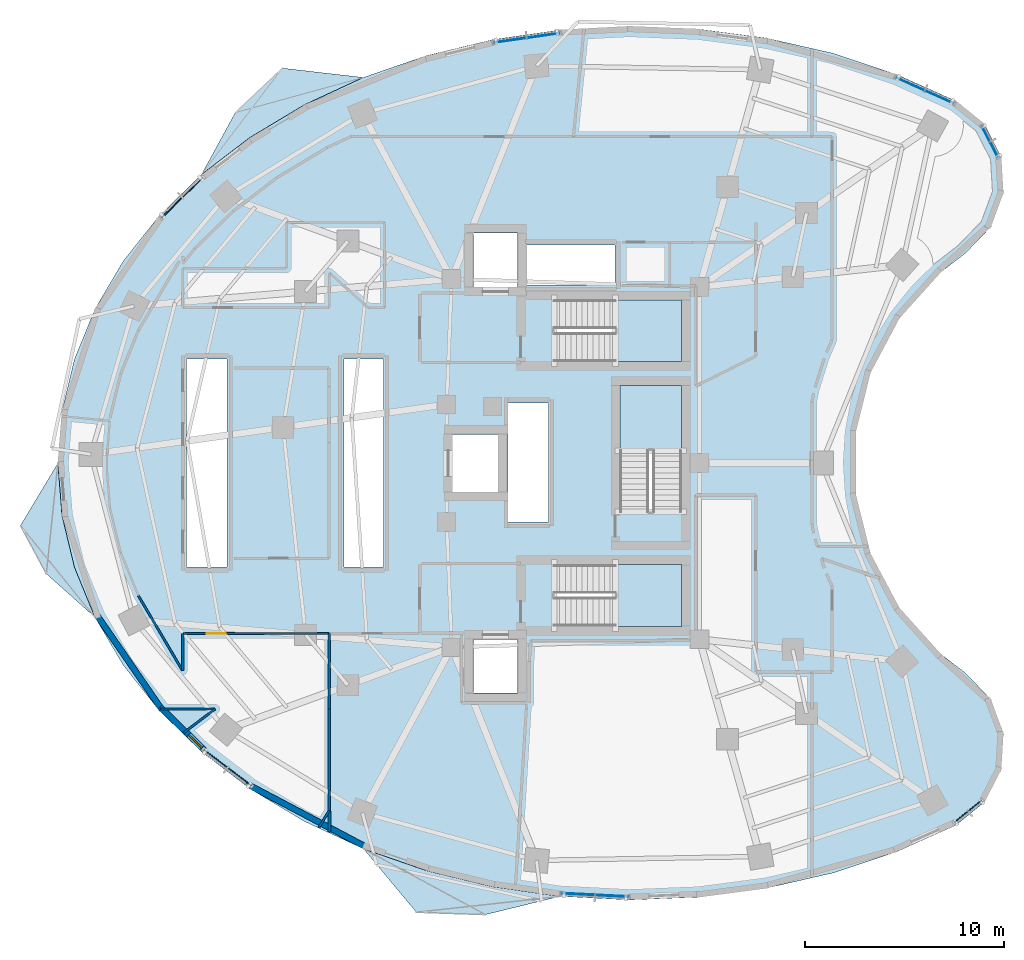
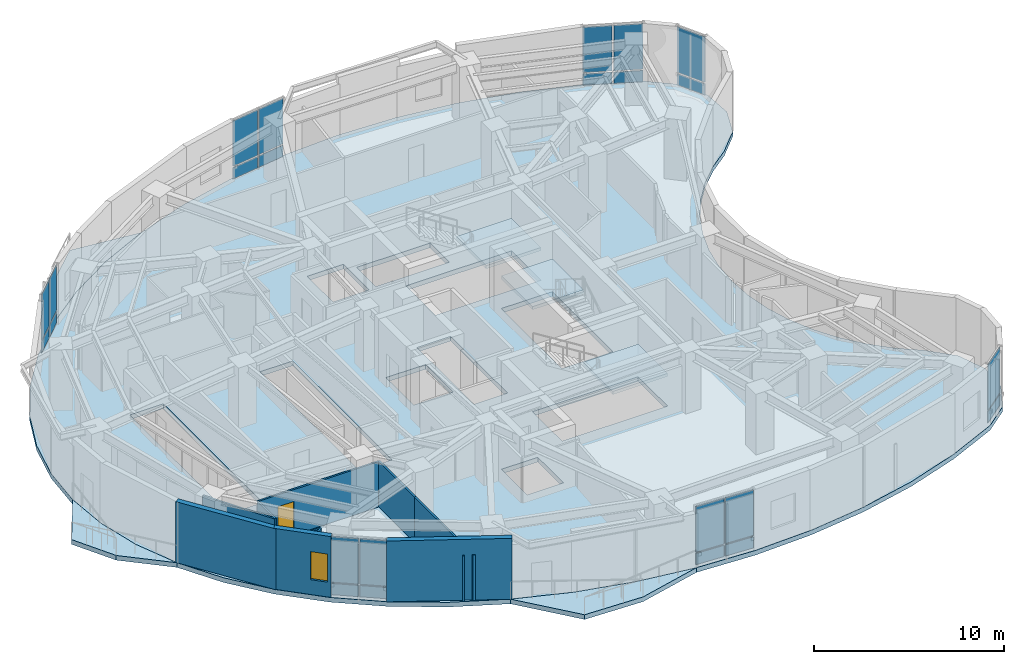
# One storey, part 6 of 13: 24 plates, 12 walls, 7 slabs, 1 door, 1 window, 2 openings, 10 elements without a shape of their own.
"""IFC4 building model written with IfcOpenShell, lengths in metres."""

from ifc_helpers import new_model, si_unit, direction, frame, frame_2d, origin, origin_2d, place, context, subcontext, project, spatial, polyline, rectangle, outline, extrude, material, layer, layer_set, type_object, element, fill, aggregate, save


model = new_model("IFC4")

# Units and contexts
model_context = context("Model", 3, precision=1e-05, world=origin(), true_north=direction((0.0, 1.0)))
body_context = subcontext(model_context, "Body", "Model", "MODEL_VIEW")
ifc_project = project(units=[si_unit("LENGTHUNIT", "METRE"), si_unit("AREAUNIT", "SQUARE_METRE"), si_unit("VOLUMEUNIT", "CUBIC_METRE"), si_unit("PLANEANGLEUNIT", "RADIAN"), si_unit("MASSUNIT", "GRAM", prefix="KILO")], contexts=[model_context])

# Site, building, storey
site_placement = place(None, origin())
site = spatial("IfcSite", under=ifc_project, at=site_placement, CompositionType="ELEMENT")
building_placement = place(site_placement, origin())
building = spatial("IfcBuilding", under=site, at=building_placement, Name="Korentha Bioscience Tower", CompositionType="ELEMENT")
storey_placement = place(building_placement, frame((0.0, 0.0, 140.39990234375)))
storey = spatial("IfcBuildingStorey", under=building, at=storey_placement, Name="L32", CompositionType="ELEMENT", Elevation=140.39990234375)

# Curtain wall, plates
ifc_material_1 = material(Name="Thermally Broken Aluminium Frame", Category="aluminium")
ifc_layer_1 = layer(ifc_material_1, 0.219970703125, Name="Thermally Broken Aluminium Frame")
ifc_layer_set_1 = layer_set([ifc_layer_1], Name="Thermally Broken Aluminium Frame (CW-T2)")
curtain_wall_type = type_object("IfcCurtainWallType", Name="Solar-Screened Lab Unitised Curtain Wall CW-T2", PredefinedType="USERDEFINED", material=ifc_layer_set_1)
curtain_wall_1_placement = place(storey_placement, origin())
curtain_wall_1 = element("IfcCurtainWall", 1, at=curtain_wall_1_placement, inside=storey, type_object=curtain_wall_type, Name="L32 Curtain Wall 01", ObjectType="UNITISED", PredefinedType="USERDEFINED")
ifc_material_2 = material(Name="Triple-Glazed Low-E Insulated Glass", Category="glass")
ifc_layer_2 = layer(ifc_material_2, 0.0439453125, Name="Triple-Glazed Low-E Insulated Glass")
ifc_layer_set_2 = layer_set([ifc_layer_2], Name="Triple-Glazed Low-E Insulated Glass (GL-44)")
plate_type = type_object("IfcPlateType", Name="Glazed Panel 44mm", PredefinedType="CURTAIN_PANEL", material=ifc_layer_set_2)
plate_1_placement = place(storey_placement, frame((49.61767578125, 45.385986328125, 0.08984375), z_axis=(0.0, 0.0, 1.0), x_axis=(-0.912686563127, 0.408660295952, 0.0)))
plate_1 = element("IfcPlate", 2, at=plate_1_placement, type_object=plate_type, Name="CW-L32-01 Bay 1 Glazed Panel 1", PredefinedType="CURTAIN_PANEL", context=body_context, shape_type="SweptSolid", body=[
    extrude(rectangle(XDim=1.54541015625, YDim=0.0439453125, at=origin_2d()), origin(), (0.0, 0.0, 1.0), 0.715087890625),
])
plate_2_placement = place(storey_placement, frame((49.61767578125, 45.385986328125, 0.89501953125), z_axis=(0.0, 0.0, 1.0), x_axis=(-0.912686563127, 0.408660295952, 0.0)))
plate_2 = element("IfcPlate", 3, at=plate_2_placement, type_object=plate_type, Name="CW-L32-01 Bay 1 Glazed Panel 2", PredefinedType="CURTAIN_PANEL", context=body_context, shape_type="SweptSolid", body=[
    extrude(rectangle(XDim=1.54541015625, YDim=0.0439453125, at=origin_2d()), origin(), (0.0, 0.0, 1.0), 2.9150390625),
])
plate_3_placement = place(storey_placement, frame((48.125, 46.05419921875, 0.08984375), z_axis=(0.0, 0.0, 1.0), x_axis=(-0.912686563127, 0.408660295952, 0.0)))
plate_3 = element("IfcPlate", 4, at=plate_3_placement, type_object=plate_type, Name="CW-L32-01 Bay 2 Glazed Panel 1", PredefinedType="CURTAIN_PANEL", context=body_context, shape_type="SweptSolid", body=[
    extrude(rectangle(XDim=1.54541015625, YDim=0.0439453125, at=origin_2d()), origin(), (0.0, 0.0, 1.0), 0.715087890625),
])
plate_4_placement = place(storey_placement, frame((48.125, 46.05419921875, 0.89501953125), z_axis=(0.0, 0.0, 1.0), x_axis=(-0.912686563127, 0.408660295952, 0.0)))
plate_4 = element("IfcPlate", 5, at=plate_4_placement, type_object=plate_type, Name="CW-L32-01 Bay 2 Glazed Panel 2", PredefinedType="CURTAIN_PANEL", context=body_context, shape_type="SweptSolid", body=[
    extrude(rectangle(XDim=1.54541015625, YDim=0.0439453125, at=origin_2d()), origin(), (0.0, 0.0, 1.0), 2.9150390625),
])
aggregate(curtain_wall_1, [plate_1, plate_2, plate_3, plate_4])

curtain_wall_2_placement = place(storey_placement, origin())
curtain_wall_2 = element("IfcCurtainWall", 6, at=curtain_wall_2_placement, inside=storey, type_object=curtain_wall_type, Name="L32 Curtain Wall 07", ObjectType="UNITISED", PredefinedType="USERDEFINED")
plate_5_placement = place(storey_placement, frame((29.724853515625, 48.486328125, 0.08984375), z_axis=(0.0, 0.0, 1.0), x_axis=(-0.989738282326, -0.14289203091, 0.0)))
plate_5 = element("IfcPlate", 7, at=plate_5_placement, type_object=plate_type, Name="CW-L32-07 Bay 1 Glazed Panel 1", PredefinedType="CURTAIN_PANEL", context=body_context, shape_type="SweptSolid", body=[
    extrude(rectangle(XDim=1.630615234375, YDim=0.0439453125, at=origin_2d()), origin(), (0.0, 0.0, 1.0), 0.715087890625),
])
plate_6_placement = place(storey_placement, frame((29.724853515625, 48.486328125, 0.89501953125), z_axis=(0.0, 0.0, 1.0), x_axis=(-0.989738282326, -0.14289203091, 0.0)))
plate_6 = element("IfcPlate", 8, at=plate_6_placement, type_object=plate_type, Name="CW-L32-07 Bay 1 Glazed Panel 2", PredefinedType="CURTAIN_PANEL", context=body_context, shape_type="SweptSolid", body=[
    extrude(rectangle(XDim=1.630615234375, YDim=0.0439453125, at=origin_2d()), origin(), (0.0, 0.0, 1.0), 2.9150390625),
])
plate_7_placement = place(storey_placement, frame((28.021728515625, 48.240478515625, 0.08984375), z_axis=(0.0, 0.0, 1.0), x_axis=(-0.989738282326, -0.14289203091, 0.0)))
plate_7 = element("IfcPlate", 9, at=plate_7_placement, type_object=plate_type, Name="CW-L32-07 Bay 2 Glazed Panel 1", PredefinedType="CURTAIN_PANEL", context=body_context, shape_type="SweptSolid", body=[
    extrude(rectangle(XDim=1.630615234375, YDim=0.0439453125, at=origin_2d()), origin(), (0.0, 0.0, 1.0), 0.715087890625),
])
plate_8_placement = place(storey_placement, frame((28.021728515625, 48.240478515625, 0.89501953125), z_axis=(0.0, 0.0, 1.0), x_axis=(-0.989738282326, -0.14289203091, 0.0)))
plate_8 = element("IfcPlate", 10, at=plate_8_placement, type_object=plate_type, Name="CW-L32-07 Bay 2 Glazed Panel 2", PredefinedType="CURTAIN_PANEL", context=body_context, shape_type="SweptSolid", body=[
    extrude(rectangle(XDim=1.630615234375, YDim=0.0439453125, at=origin_2d()), origin(), (0.0, 0.0, 1.0), 2.9150390625),
])
aggregate(curtain_wall_2, [plate_5, plate_6, plate_7, plate_8])

curtain_wall_3_placement = place(storey_placement, origin())
curtain_wall_3 = element("IfcCurtainWall", 11, at=curtain_wall_3_placement, inside=storey, type_object=curtain_wall_type, Name="L32 Curtain Wall 13", ObjectType="UNITISED", PredefinedType="USERDEFINED")
plate_9_placement = place(storey_placement, frame((12.09912109375, 40.858642578125, 0.08984375), z_axis=(0.0, 0.0, 1.0), x_axis=(-0.716095631804, -0.698002182025, 0.0)))
plate_9 = element("IfcPlate", 12, at=plate_9_placement, type_object=plate_type, Name="CW-L32-13 Bay 1 Glazed Panel 1", PredefinedType="CURTAIN_PANEL", context=body_context, shape_type="SweptSolid", body=[
    extrude(rectangle(XDim=1.39599609375, YDim=0.0439453125, at=origin_2d()), origin(), (0.0, 0.0, 1.0), 0.715087890625),
])
plate_10_placement = place(storey_placement, frame((12.09912109375, 40.858642578125, 0.89501953125), z_axis=(0.0, 0.0, 1.0), x_axis=(-0.716095631804, -0.698002182025, 0.0)))
plate_10 = element("IfcPlate", 13, at=plate_10_placement, type_object=plate_type, Name="CW-L32-13 Bay 1 Glazed Panel 2", PredefinedType="CURTAIN_PANEL", context=body_context, shape_type="SweptSolid", body=[
    extrude(rectangle(XDim=1.39599609375, YDim=0.0439453125, at=origin_2d()), origin(), (0.0, 0.0, 1.0), 2.9150390625),
])
plate_11_placement = place(storey_placement, frame((11.034912109375, 39.8212890625, 0.08984375), z_axis=(0.0, 0.0, 1.0), x_axis=(-0.716095631804, -0.698002182025, 0.0)))
plate_11 = element("IfcPlate", 14, at=plate_11_placement, type_object=plate_type, Name="CW-L32-13 Bay 2 Glazed Panel 1", PredefinedType="CURTAIN_PANEL", context=body_context, shape_type="SweptSolid", body=[
    extrude(rectangle(XDim=1.39599609375, YDim=0.0439453125, at=origin_2d()), origin(), (0.0, 0.0, 1.0), 0.715087890625),
])
plate_12_placement = place(storey_placement, frame((11.034912109375, 39.8212890625, 0.89501953125), z_axis=(0.0, 0.0, 1.0), x_axis=(-0.716095631804, -0.698002182025, 0.0)))
plate_12 = element("IfcPlate", 15, at=plate_12_placement, type_object=plate_type, Name="CW-L32-13 Bay 2 Glazed Panel 2", PredefinedType="CURTAIN_PANEL", context=body_context, shape_type="SweptSolid", body=[
    extrude(rectangle(XDim=1.39599609375, YDim=0.0439453125, at=origin_2d()), origin(), (0.0, 0.0, 1.0), 2.9150390625),
])
aggregate(curtain_wall_3, [plate_9, plate_10, plate_11, plate_12])

curtain_wall_4_placement = place(storey_placement, origin())
curtain_wall_4 = element("IfcCurtainWall", 16, at=curtain_wall_4_placement, inside=storey, type_object=curtain_wall_type, Name="L32 Curtain Wall 25", ObjectType="UNITISED", PredefinedType="USERDEFINED")
plate_13_placement = place(storey_placement, frame((13.234619140625, 12.162353515625, 0.08984375), z_axis=(0.0, 0.0, 1.0), x_axis=(0.794499603893, -0.607264669986, 0.0)))
plate_13 = element("IfcPlate", 17, at=plate_13_placement, type_object=plate_type, Name="CW-L32-25 Bay 1 Glazed Panel 1", PredefinedType="CURTAIN_PANEL", context=body_context, shape_type="SweptSolid", body=[
    extrude(rectangle(XDim=1.4462890625, YDim=0.0439453125, at=origin_2d()), origin(), (0.0, 0.0, 1.0), 0.715087890625),
])
plate_14_placement = place(storey_placement, frame((13.234619140625, 12.162353515625, 0.89501953125), z_axis=(0.0, 0.0, 1.0), x_axis=(0.794499603893, -0.607264669986, 0.0)))
plate_14 = element("IfcPlate", 18, at=plate_14_placement, type_object=plate_type, Name="CW-L32-25 Bay 1 Glazed Panel 2", PredefinedType="CURTAIN_PANEL", context=body_context, shape_type="SweptSolid", body=[
    extrude(rectangle(XDim=1.4462890625, YDim=0.0439453125, at=origin_2d()), origin(), (0.0, 0.0, 1.0), 2.9150390625),
])
plate_15_placement = place(storey_placement, frame((14.455078125, 11.229248046875, 0.08984375), z_axis=(0.0, 0.0, 1.0), x_axis=(0.794499603893, -0.607264669986, 0.0)))
plate_15 = element("IfcPlate", 19, at=plate_15_placement, type_object=plate_type, Name="CW-L32-25 Bay 2 Glazed Panel 1", PredefinedType="CURTAIN_PANEL", context=body_context, shape_type="SweptSolid", body=[
    extrude(rectangle(XDim=1.4462890625, YDim=0.0439453125, at=origin_2d()), origin(), (0.0, 0.0, 1.0), 0.715087890625),
])
plate_16_placement = place(storey_placement, frame((14.455078125, 11.229248046875, 0.89501953125), z_axis=(0.0, 0.0, 1.0), x_axis=(0.794499603893, -0.607264669986, 0.0)))
plate_16 = element("IfcPlate", 20, at=plate_16_placement, type_object=plate_type, Name="CW-L32-25 Bay 2 Glazed Panel 2", PredefinedType="CURTAIN_PANEL", context=body_context, shape_type="SweptSolid", body=[
    extrude(rectangle(XDim=1.4462890625, YDim=0.0439453125, at=origin_2d()), origin(), (0.0, 0.0, 1.0), 2.9150390625),
])
aggregate(curtain_wall_4, [plate_13, plate_14, plate_15, plate_16])

curtain_wall_5_placement = place(storey_placement, origin())
curtain_wall_5 = element("IfcCurtainWall", 21, at=curtain_wall_5_placement, inside=storey, type_object=curtain_wall_type, Name="L32 Curtain Wall 31", ObjectType="UNITISED", PredefinedType="USERDEFINED")
plate_17_placement = place(storey_placement, frame((31.436279296875, 5.346435546875, 0.08984375), z_axis=(0.0, 0.0, 1.0), x_axis=(0.998673231344, -0.051495407527, 0.0)))
plate_17 = element("IfcPlate", 22, at=plate_17_placement, type_object=plate_type, Name="CW-L32-31 Bay 1 Glazed Panel 1", PredefinedType="CURTAIN_PANEL", context=body_context, shape_type="SweptSolid", body=[
    extrude(rectangle(XDim=1.641845703125, YDim=0.0439453125, at=origin_2d()), origin(), (0.0, 0.0, 1.0), 0.715087890625),
])
plate_18_placement = place(storey_placement, frame((31.436279296875, 5.346435546875, 0.89501953125), z_axis=(0.0, 0.0, 1.0), x_axis=(0.998673231344, -0.051495407527, 0.0)))
plate_18 = element("IfcPlate", 23, at=plate_18_placement, type_object=plate_type, Name="CW-L32-31 Bay 1 Glazed Panel 2", PredefinedType="CURTAIN_PANEL", context=body_context, shape_type="SweptSolid", body=[
    extrude(rectangle(XDim=1.641845703125, YDim=0.0439453125, at=origin_2d()), origin(), (0.0, 0.0, 1.0), 2.9150390625),
])
plate_19_placement = place(storey_placement, frame((33.166015625, 5.25732421875, 0.08984375), z_axis=(0.0, 0.0, 1.0), x_axis=(0.998673231344, -0.051495407527, 0.0)))
plate_19 = element("IfcPlate", 24, at=plate_19_placement, type_object=plate_type, Name="CW-L32-31 Bay 2 Glazed Panel 1", PredefinedType="CURTAIN_PANEL", context=body_context, shape_type="SweptSolid", body=[
    extrude(rectangle(XDim=1.641845703125, YDim=0.0439453125, at=origin_2d()), origin(), (0.0, 0.0, 1.0), 0.715087890625),
])
plate_20_placement = place(storey_placement, frame((33.166015625, 5.25732421875, 0.89501953125), z_axis=(0.0, 0.0, 1.0), x_axis=(0.998673231344, -0.051495407527, 0.0)))
plate_20 = element("IfcPlate", 25, at=plate_20_placement, type_object=plate_type, Name="CW-L32-31 Bay 2 Glazed Panel 2", PredefinedType="CURTAIN_PANEL", context=body_context, shape_type="SweptSolid", body=[
    extrude(rectangle(XDim=1.641845703125, YDim=0.0439453125, at=origin_2d()), origin(), (0.0, 0.0, 1.0), 2.9150390625),
])
aggregate(curtain_wall_5, [plate_17, plate_18, plate_19, plate_20])

curtain_wall_6_placement = place(storey_placement, origin())
curtain_wall_6 = element("IfcCurtainWall", 26, at=curtain_wall_6_placement, inside=storey, type_object=curtain_wall_type, Name="L32 Curtain Wall 37", ObjectType="UNITISED", PredefinedType="USERDEFINED")
plate_21_placement = place(storey_placement, frame((51.04736328125, 9.506591796875, 0.08984375), z_axis=(0.0, 0.0, 1.0), x_axis=(0.777315301098, 0.629111216463, 0.0)))
plate_21 = element("IfcPlate", 27, at=plate_21_placement, type_object=plate_type, Name="CW-L32-37 Bay 1 Glazed Panel 1", PredefinedType="CURTAIN_PANEL", context=body_context, shape_type="SweptSolid", body=[
    extrude(rectangle(XDim=1.737548828125, YDim=0.0439453125, at=origin_2d()), origin(), (0.0, 0.0, 1.0), 0.715087890625),
])
plate_22_placement = place(storey_placement, frame((51.04736328125, 9.506591796875, 0.89501953125), z_axis=(0.0, 0.0, 1.0), x_axis=(0.777315301098, 0.629111216463, 0.0)))
plate_22 = element("IfcPlate", 28, at=plate_22_placement, type_object=plate_type, Name="CW-L32-37 Bay 1 Glazed Panel 2", PredefinedType="CURTAIN_PANEL", context=body_context, shape_type="SweptSolid", body=[
    extrude(rectangle(XDim=1.737548828125, YDim=0.0439453125, at=origin_2d()), origin(), (0.0, 0.0, 1.0), 2.9150390625),
])
aggregate(curtain_wall_6, [plate_21, plate_22])

curtain_wall_7_placement = place(storey_placement, origin())
curtain_wall_7 = element("IfcCurtainWall", 29, at=curtain_wall_7_placement, inside=storey, type_object=curtain_wall_type, Name="L32 Curtain Wall 61", ObjectType="UNITISED", PredefinedType="USERDEFINED")
plate_23_placement = place(storey_placement, frame((52.140380859375, 43.149658203125, 0.08984375), z_axis=(0.0, 0.0, 1.0), x_axis=(-0.457613117169, 0.889151412862, 0.0)))
plate_23 = element("IfcPlate", 30, at=plate_23_placement, type_object=plate_type, Name="CW-L32-61 Bay 1 Glazed Panel 1", PredefinedType="CURTAIN_PANEL", context=body_context, shape_type="SweptSolid", body=[
    extrude(rectangle(XDim=1.737548828125, YDim=0.0439453125, at=origin_2d()), origin(), (0.0, 0.0, 1.0), 0.715087890625),
])
plate_24_placement = place(storey_placement, frame((52.140380859375, 43.149658203125, 0.89501953125), z_axis=(0.0, 0.0, 1.0), x_axis=(-0.457613117169, 0.889151412862, 0.0)))
plate_24 = element("IfcPlate", 31, at=plate_24_placement, type_object=plate_type, Name="CW-L32-61 Bay 1 Glazed Panel 2", PredefinedType="CURTAIN_PANEL", context=body_context, shape_type="SweptSolid", body=[
    extrude(rectangle(XDim=1.737548828125, YDim=0.0439453125, at=origin_2d()), origin(), (0.0, 0.0, 1.0), 2.9150390625),
])
aggregate(curtain_wall_7, [plate_23, plate_24])

# Slab
ifc_material_3 = material(Name="Concrete C50", Category="concrete")
ifc_layer_3 = layer(ifc_material_3, 0.300048828125, Name="Concrete C50")
ifc_layer_set_3 = layer_set([ifc_layer_3], Name="Concrete C50 (SL-L300)")
slab_type_1 = type_object("IfcSlabType", Name="Laboratory Vibration-Controlled Slab 300", PredefinedType="FLOOR", material=ifc_layer_set_3)
slab_1_placement = place(storey_placement, frame((0.0, 0.0, -0.2998046875)))
element("IfcSlab", 32, at=slab_1_placement, inside=storey, type_object=slab_type_1, Name="L32 Tower Structural Floor Slab", PredefinedType="FLOOR", context=body_context, shape_type="SweptSolid", body=[
    extrude(outline(polyline([(50.433837890625, 45.19580078125), (47.439697265625, 46.53662109375), (44.2548828125, 47.59521484375), (40.925537109375, 48.3564453125), (37.5, 48.809326171875), (34.027587890625, 48.947265625), (30.558349609375, 48.7685546875), (27.142333984375, 48.275390625), (23.8291015625, 47.474853515625), (20.66650390625, 46.37890625), (17.69970703125, 45.003173828125), (14.972412109375, 43.367431640625), (12.52294921875, 41.495361328125), (10.3876953125, 39.413818359375), (8.5966796875, 37.1533203125), (7.17626953125, 34.74609375), (6.146484375, 32.22705078125), (5.52294921875, 29.632568359375), (5.31396484375, 27.0), (5.52294921875, 24.367431640625), (6.146484375, 21.77294921875), (7.17626953125, 19.25390625), (8.5966796875, 16.8466796875), (10.3876953125, 14.586181640625), (12.52294921875, 12.504638671875), (14.972412109375, 10.632568359375), (17.69970703125, 8.996826171875), (20.66650390625, 7.62109375), (23.8291015625, 6.525146484375), (27.142333984375, 5.724609375), (30.558349609375, 5.2314453125), (34.027587890625, 5.052734375), (37.5, 5.190673828125), (40.925537109375, 5.6435546875), (44.2548828125, 6.40478515625), (47.439697265625, 7.46337890625), (50.433837890625, 8.80419921875), (51.8623046875, 9.960205078125), (52.703125, 11.593994140625), (52.813720703125, 13.42822265625), (52.175537109375, 15.1513671875), (50.896484375, 16.470703125), (49.666259765625, 17.414794921875), (48.560302734375, 18.501708984375), (47.594970703125, 19.715087890625), (46.78466796875, 21.037353515625), (46.1416015625, 22.448486328125), (45.67529296875, 23.927490234375), (45.392578125, 25.4521484375), (45.298095703125, 27.0), (45.392578125, 28.5478515625), (45.67529296875, 30.072509765625), (46.1416015625, 31.551513671875), (46.78466796875, 32.962646484375), (47.594970703125, 34.284912109375), (48.560302734375, 35.498291015625), (49.666259765625, 36.585205078125), (50.896484375, 37.529296875), (52.175537109375, 38.8486328125), (52.813720703125, 40.57177734375), (52.703125, 42.406005859375), (51.8623046875, 44.039794921875), (50.433837890625, 45.19580078125)]), holes=[polyline([(30.25, 32.10009765625), (36.64990234375, 32.10009765625), (36.64990234375, 35.199951171875), (30.25, 35.199951171875), (30.25, 32.10009765625)]), polyline([(30.25, 18.800048828125), (36.64990234375, 18.800048828125), (36.64990234375, 21.89990234375), (30.25, 21.89990234375), (30.25, 18.800048828125)]), polyline([(36.64990234375, 24.550048828125), (36.64990234375, 30.89990234375), (33.550048828125, 30.89990234375), (33.550048828125, 24.550048828125), (36.64990234375, 24.550048828125)]), polyline([(11.780029296875, 21.780029296875), (13.820068359375, 21.780029296875), (13.820068359375, 32.219970703125), (11.780029296875, 32.219970703125), (11.780029296875, 21.780029296875)]), polyline([(19.679931640625, 21.780029296875), (21.669921875, 21.780029296875), (21.669921875, 32.219970703125), (19.679931640625, 32.219970703125), (19.679931640625, 21.780029296875)]), polyline([(27.929931640625, 24.030029296875), (29.969970703125, 24.030029296875), (29.969970703125, 30.02001953125), (27.929931640625, 30.02001953125), (27.929931640625, 24.030029296875)]), polyline([(28.860107421875, 35.93994140625), (33.31005859375, 35.93994140625), (33.31005859375, 37.9599609375), (28.860107421875, 37.9599609375), (28.860107421875, 35.93994140625)]), polyline([(26.199951171875, 15.449951171875), (28.39990234375, 15.449951171875), (28.39990234375, 18.14990234375), (26.199951171875, 18.14990234375), (26.199951171875, 15.449951171875)]), polyline([(26.199951171875, 35.85009765625), (28.39990234375, 35.85009765625), (28.39990234375, 38.550048828125), (26.199951171875, 38.550048828125), (26.199951171875, 35.85009765625)]), polyline([(25.14990234375, 25.550048828125), (27.550048828125, 25.550048828125), (27.550048828125, 28.449951171875), (25.14990234375, 28.449951171875), (25.14990234375, 25.550048828125)])]), origin(), (0.0, 0.0, 1.0), 0.2998046875),
])

# Stair, slab
ifc_material_4 = material(Name="Precast Concrete C50", Category="concrete")
stair_type = type_object("IfcStairType", Name="Core Exit Dog-Leg Stair 1450", PredefinedType="HALF_TURN_STAIR", material=ifc_material_4)
stair_1_placement = place(storey_placement, origin())
stair_1 = element("IfcStair", 33, at=stair_1_placement, inside=storey, type_object=stair_type, Name="L32 Tower North Pressurized Exit Stair ST-1", PredefinedType="HALF_TURN_STAIR")
ifc_layer_4 = layer(ifc_material_3, 0.199951171875, Name="Concrete C50")
ifc_layer_set_4 = layer_set([ifc_layer_4], Name="Concrete C50 (SL-LND)")
slab_type_2 = type_object("IfcSlabType", Name="Landing Slab 200", PredefinedType="LANDING", material=ifc_layer_set_4)
slab_2_placement = place(storey_placement, frame((0.0, 0.0, 1.900146484375)))
slab_2 = element("IfcSlab", 34, at=slab_2_placement, type_object=slab_type_2, Name="ST-1 landing 1", PredefinedType="LANDING", context=body_context, shape_type="SweptSolid", body=[
    extrude(outline(polyline([(33.330078125, 32.10009765625), (36.64990234375, 32.10009765625), (36.64990234375, 35.199951171875), (33.330078125, 35.199951171875), (33.330078125, 32.10009765625)])), origin(), (0.0, 0.0, 1.0), 0.199951171875),
])
aggregate(stair_1, [slab_2])

stair_2_placement = place(storey_placement, origin())
stair_2 = element("IfcStair", 35, at=stair_2_placement, inside=storey, type_object=stair_type, Name="L32 Tower South Pressurized Exit Stair ST-2", PredefinedType="HALF_TURN_STAIR")
slab_3_placement = place(storey_placement, frame((0.0, 0.0, 1.900146484375)))
slab_3 = element("IfcSlab", 36, at=slab_3_placement, type_object=slab_type_2, Name="ST-2 landing 1", PredefinedType="LANDING", context=body_context, shape_type="SweptSolid", body=[
    extrude(outline(polyline([(33.330078125, 18.800048828125), (36.64990234375, 18.800048828125), (36.64990234375, 21.89990234375), (33.330078125, 21.89990234375), (33.330078125, 18.800048828125)])), origin(), (0.0, 0.0, 1.0), 0.199951171875),
])
aggregate(stair_2, [slab_3])

stair_3_placement = place(storey_placement, origin())
stair_3 = element("IfcStair", 37, at=stair_3_placement, inside=storey, type_object=stair_type, Name="L32 Tower Central Pressurized Exit Stair ST-3", PredefinedType="HALF_TURN_STAIR")
slab_4_placement = place(storey_placement, frame((0.0, 0.0, 1.900146484375)))
slab_4 = element("IfcSlab", 38, at=slab_4_placement, type_object=slab_type_2, Name="ST-3 landing 1", PredefinedType="LANDING", context=body_context, shape_type="SweptSolid", body=[
    extrude(outline(polyline([(36.64990234375, 27.6298828125), (36.64990234375, 30.89990234375), (33.550048828125, 30.89990234375), (33.550048828125, 27.6298828125), (36.64990234375, 27.6298828125)])), origin(), (0.0, 0.0, 1.0), 0.199951171875),
])
aggregate(stair_3, [slab_4])

# Slabs
ifc_layer_5 = layer(ifc_material_3, 0.300048828125, Name="Concrete C50")
ifc_layer_set_5 = layer_set([ifc_layer_5], Name="Concrete C50 (BS-240)")
slab_type_3 = type_object("IfcSlabType", Name="Sawtooth Sun-Ledge Balcony Slab 240", PredefinedType="USERDEFINED", material=ifc_layer_set_5)
slab_5_placement = place(storey_placement, frame((0.0, 0.0, -0.2998046875)))
element("IfcSlab", 39, at=slab_5_placement, inside=storey, type_object=slab_type_3, Name="L32 Sun-Ledge Balcony 01", ObjectType="BALCONY", PredefinedType="USERDEFINED", context=body_context, shape_type="SweptSolid", body=[
    extrude(outline(polyline([(12.52294921875, 41.495361328125), (14.972412109375, 43.367431640625), (17.69970703125, 45.003173828125), (20.66650390625, 46.37890625), (16.593994140625, 46.846923828125), (14.2265625, 44.61083984375), (12.52294921875, 41.495361328125)])), origin(), (0.0, 0.0, 1.0), 0.2998046875),
])
slab_6_placement = place(storey_placement, frame((0.0, 0.0, -0.2998046875)))
element("IfcSlab", 40, at=slab_6_placement, inside=storey, type_object=slab_type_3, Name="L32 Sun-Ledge Balcony 02", ObjectType="BALCONY", PredefinedType="USERDEFINED", context=body_context, shape_type="SweptSolid", body=[
    extrude(outline(polyline([(7.17626953125, 19.25390625), (6.146484375, 21.77294921875), (5.52294921875, 24.367431640625), (5.31396484375, 27.0), (3.4326171875, 23.864990234375), (4.73681640625, 21.43408203125), (7.17626953125, 19.25390625)])), origin(), (0.0, 0.0, 1.0), 0.2998046875),
])
slab_7_placement = place(storey_placement, frame((0.0, 0.0, -0.2998046875)))
element("IfcSlab", 41, at=slab_7_placement, inside=storey, type_object=slab_type_3, Name="L32 Sun-Ledge Balcony 03", ObjectType="BALCONY", PredefinedType="USERDEFINED", context=body_context, shape_type="SweptSolid", body=[
    extrude(outline(polyline([(30.558349609375, 5.2314453125), (27.142333984375, 5.724609375), (23.8291015625, 6.525146484375), (20.66650390625, 7.62109375), (23.32421875, 4.435302734375), (26.802001953125, 4.315185546875), (30.558349609375, 5.2314453125)])), origin(), (0.0, 0.0, 1.0), 0.2998046875),
])

# Wall
ifc_material_5 = material(Name="Double-Stud Acoustic Gypsum", Category="gypsum")
ifc_layer_6 = layer(ifc_material_5, 0.14990234375, Name="Double-Stud Acoustic Gypsum")
ifc_layer_set_6 = layer_set([ifc_layer_6], Name="Double-Stud Acoustic Gypsum (IW-L150)")
wall_type_1 = type_object("IfcWallType", Name="Acoustic Laboratory Partition Wall 150", PredefinedType="PARTITIONING", material=ifc_layer_set_6)
wall_1_placement = place(storey_placement, frame((18.951904296875, 8.4658203125, 0.0), z_axis=(0.0, 0.0, 1.0), x_axis=(0.0, 1.0, 0.0)))
element("IfcWall", 42, at=wall_1_placement, inside=storey, type_object=wall_type_1, Name="L32 Interior Partition 035", PredefinedType="PARTITIONING", context=body_context, shape_type="SweptSolid", body=[
    extrude(rectangle(XDim=1.06201171875, YDim=0.14990234375, at=frame_2d((0.531005859375, 0.0))), origin(), (0.0, 0.0, 1.0), 2.91015625),
])

# Wall, opening, door
ifc_material_6 = material(Name="Fire-Rated Framed Glass", Category="glass")
ifc_layer_7 = layer(ifc_material_6, 0.110107421875, Name="Fire-Rated Framed Glass")
ifc_layer_set_7 = layer_set([ifc_layer_7], Name="Fire-Rated Framed Glass (IW-G110)")
wall_type_2 = type_object("IfcWallType", Name="Demountable Glazed Office Partition 110", PredefinedType="MOVABLE", material=ifc_layer_set_7)
wall_2_placement = place(storey_placement, frame((11.590087890625, 18.43994140625, 0.0), z_axis=(0.0, 0.0, 1.0), x_axis=(1.0, 0.0, 0.0)))
wall_2 = element("IfcWall", 43, at=wall_2_placement, inside=storey, type_object=wall_type_2, Name="L32 Research Colloquium Seminar Room 02 Entrance Wall", PredefinedType="MOVABLE", context=body_context, shape_type="SweptSolid", body=[
    extrude(rectangle(XDim=7.35791015625, YDim=0.110107421875, at=frame_2d((3.678955078125, 0.0))), origin(), (0.0, 0.0, 1.0), 2.91015625),
])
opening_1_placement = place(wall_2_placement, frame((1.20166015625, 0.0, 0.0)))
opening_1 = element("IfcOpeningElement", 44, at=opening_1_placement, cuts=wall_2, Name="Opening ID-10L", PredefinedType="OPENING", context=body_context, shape_type="SweptSolid", body=[
    extrude(rectangle(XDim=0.949951171875, YDim=2.14990234375, at=frame_2d((0.47509765625, 1.074951171875))), frame((0.0, 0.06982421875, 0.0), z_axis=(0.0, -1.0, 0.0), x_axis=(1.0, 0.0, 0.0)), (0.0, 0.0, 1.0), 0.139892578125),
])
ifc_material_7 = material(Name="Phenolic Laminate Timber Core", Category="wood")
door_type = type_object("IfcDoorType", Name="Laboratory Single Leaf Door 950x2150 Left", OperationType="SINGLE_SWING_LEFT", PredefinedType="DOOR", material=ifc_material_7)
door_placement = place(opening_1_placement, origin())
door = element("IfcDoor", 45, at=door_placement, inside=storey, type_object=door_type, Name="L32 Research Colloquium Seminar Room 02 Door", OperationType="SINGLE_SWING_LEFT", OverallHeight=2.14990234375, OverallWidth=0.949951171875, PredefinedType="DOOR", context=body_context, shape_type="SweptSolid", body=[
    extrude(rectangle(XDim=0.949951171875, YDim=2.14990234375, at=frame_2d((0.47509765625, 1.074951171875))), frame((0.0, 0.02490234375, 0.0), z_axis=(0.0, -1.0, 0.0), x_axis=(1.0, 0.0, 0.0)), (0.0, 0.0, 1.0), 0.050048828125),
])
fill(opening_1, door)

# Walls
wall_3_placement = place(storey_placement, frame((9.359130859375, 20.336181640625, 0.0), z_axis=(0.0, 0.0, 1.0), x_axis=(0.508164254342, -0.86126017591, 0.0)))
element("IfcWall", 46, at=wall_3_placement, inside=storey, type_object=wall_type_2, Name="L32 Interior Partition 024", PredefinedType="MOVABLE", context=body_context, shape_type="SweptSolid", body=[
    extrude(rectangle(XDim=4.353271484375, YDim=0.110107421875, at=frame_2d((2.1767578125, 0.0))), origin(), (0.0, 0.0, 1.0), 2.91015625),
])
wall_4_placement = place(storey_placement, frame((11.590087890625, 16.592041015625, 0.0), z_axis=(0.0, 0.0, 1.0), x_axis=(0.0, 1.0, 0.0)))
element("IfcWall", 47, at=wall_4_placement, inside=storey, type_object=wall_type_2, Name="L32 Interior Partition 025", PredefinedType="MOVABLE", context=body_context, shape_type="SweptSolid", body=[
    extrude(rectangle(XDim=1.847900390625, YDim=0.110107421875, at=frame_2d((0.923828125, 0.0))), origin(), (0.0, 0.0, 1.0), 2.91015625),
])
wall_5_placement = place(storey_placement, frame((18.947998046875, 18.43994140625, 0.0), z_axis=(0.0, 0.0, 1.0), x_axis=(0.0, -1.0, 0.0)))
element("IfcWall", 48, at=wall_5_placement, inside=storey, type_object=wall_type_2, Name="L32 Interior Partition 026", PredefinedType="MOVABLE", context=body_context, shape_type="SweptSolid", body=[
    extrude(rectangle(XDim=3.787841796875, YDim=0.110107421875, at=frame_2d((1.89404296875, 0.0))), origin(), (0.0, 0.0, 1.0), 2.91015625),
])
wall_6_placement = place(storey_placement, frame((18.947998046875, 14.64794921875, 0.0), z_axis=(0.0, 0.0, 1.0), x_axis=(0.0, -1.0, 0.0)))
element("IfcWall", 49, at=wall_6_placement, inside=storey, type_object=wall_type_2, Name="L32 Interior Partition 027", PredefinedType="MOVABLE", context=body_context, shape_type="SweptSolid", body=[
    extrude(rectangle(XDim=5.107421875, YDim=0.110107421875, at=frame_2d((2.5537109375, 0.0))), origin(), (0.0, 0.0, 1.0), 2.91015625),
])
wall_7_placement = place(storey_placement, frame((18.947998046875, 9.540283203125, 0.0), z_axis=(0.0, 0.0, 1.0), x_axis=(-0.520996942726, -0.853558542615, 0.0)))
element("IfcWall", 50, at=wall_7_placement, inside=storey, type_object=wall_type_2, Name="L32 Interior Partition 028", PredefinedType="MOVABLE", context=body_context, shape_type="SweptSolid", body=[
    extrude(rectangle(XDim=1.0029296875, YDim=0.110107421875, at=frame_2d((0.50146484375, 0.0))), origin(), (0.0, 0.0, 1.0), 2.91015625),
])
wall_8_placement = place(storey_placement, frame((11.605224609375, 13.431640625, 0.0), z_axis=(0.0, 0.0, 1.0), x_axis=(0.798631749936, 0.601820012956, 0.0)))
element("IfcWall", 51, at=wall_8_placement, inside=storey, type_object=wall_type_2, Name="L32 Interior Partition 029", PredefinedType="MOVABLE", context=body_context, shape_type="SweptSolid", body=[
    extrude(rectangle(XDim=2.015869140625, YDim=0.110107421875, at=frame_2d((1.0078125, 0.0))), origin(), (0.0, 0.0, 1.0), 2.91015625),
])
wall_9_placement = place(storey_placement, frame((13.212646484375, 14.652099609375, 0.0), z_axis=(0.0, 0.0, 1.0), x_axis=(-1.0, 0.0, 0.0)))
element("IfcWall", 52, at=wall_9_placement, inside=storey, type_object=wall_type_2, Name="L32 Interior Partition 030", PredefinedType="MOVABLE", context=body_context, shape_type="SweptSolid", body=[
    extrude(rectangle(XDim=2.7470703125, YDim=0.110107421875, at=frame_2d((1.37353515625, 0.0))), origin(), (0.0, 0.0, 1.0), 2.91015625),
])

# Wall, opening, window
ifc_material_8 = material(Name="Honed Limestone Precast Concrete C40", Category="masonry")
ifc_layer_8 = layer(ifc_material_8, 0.300048828125, Name="Honed Limestone Precast Concrete C40")
ifc_layer_set_8 = layer_set([ifc_layer_8], Name="Honed Limestone Precast Concrete C40 (EW-ST300)")
wall_type_3 = type_object("IfcWallType", Name="Honed Limestone Cavity Spandrel Wall 300", PredefinedType="STANDARD", material=ifc_layer_set_8)
wall_10_placement = place(storey_placement, frame((10.456298828125, 14.74267578125, 0.0), z_axis=(0.0, 0.0, 1.0), x_axis=(0.716099460419, -0.697998254144, 0.0)))
wall_10 = element("IfcWall", 53, at=wall_10_placement, inside=storey, type_object=wall_type_3, Name="L32 Honed Limestone Spandrel Wall 24", PredefinedType="STANDARD", context=body_context, shape_type="SweptSolid", body=[
    extrude(rectangle(XDim=3.10205078125, YDim=0.300048828125, at=frame_2d((1.551025390625, 0.0))), origin(), (0.0, 0.0, 1.0), 3.900146484375),
])
opening_2_placement = place(wall_10_placement, frame((2.01171875, 0.0, 0.949951171875)))
opening_2 = element("IfcOpeningElement", 54, at=opening_2_placement, cuts=wall_10, Name="Opening WN-05", PredefinedType="OPENING", context=body_context, shape_type="SweptSolid", body=[
    extrude(rectangle(XDim=0.89990234375, YDim=1.800048828125, at=frame_2d((0.449951171875, 0.89990234375))), frame((0.0, 0.1650390625, 0.0), z_axis=(0.0, -1.0, 0.0), x_axis=(1.0, 0.0, 0.0)), (0.0, 0.0, 1.0), 0.329833984375),
])
ifc_material_9 = material(Name="Thermally Broken Aluminium Triple Glazing", Category="aluminium")
window_type = type_object("IfcWindowType", Name="Narrow Bioscience Pier Window 900x1800", PartitioningType="SINGLE_PANEL", PredefinedType="WINDOW", material=ifc_material_9)
window_placement = place(opening_2_placement, origin())
window = element("IfcWindow", 55, at=window_placement, inside=storey, type_object=window_type, Name="L32 Facade Window 24", OverallHeight=1.800048828125, OverallWidth=0.89990234375, PartitioningType="SINGLE_PANEL", PredefinedType="WINDOW", context=body_context, shape_type="SweptSolid", body=[
    extrude(rectangle(XDim=0.89990234375, YDim=1.800048828125, at=frame_2d((0.449951171875, 0.89990234375))), frame((0.0, 0.030029296875, 0.0), z_axis=(0.0, -1.0, 0.0), x_axis=(1.0, 0.0, 0.0)), (0.0, 0.0, 1.0), 0.06005859375),
])
fill(opening_2, window)

# Walls
wall_11_placement = place(storey_placement, frame((7.24609375, 19.399169921875, 0.0), z_axis=(0.0, 0.0, 1.0), x_axis=(0.566825798999, -0.823837674296, 0.0)))
element("IfcWall", 56, at=wall_11_placement, inside=storey, type_object=wall_type_3, Name="L32 Limestone Perimeter Closure Wall 22", PredefinedType="STANDARD", context=body_context, shape_type="SweptSolid", body=[
    extrude(rectangle(XDim=5.825927734375, YDim=0.300048828125, at=frame_2d((2.9130859375, 0.0))), origin(), (0.0, 0.0, 1.0), 3.900146484375),
])
wall_12_placement = place(storey_placement, frame((14.967041015625, 10.793701171875, 0.0), z_axis=(0.0, 0.0, 1.0), x_axis=(0.883986649445, -0.467512142734, 0.0)))
element("IfcWall", 57, at=wall_12_placement, inside=storey, type_object=wall_type_3, Name="L32 Limestone Perimeter Closure Wall 26", PredefinedType="STANDARD", context=body_context, shape_type="SweptSolid", body=[
    extrude(rectangle(XDim=6.601318359375, YDim=0.300048828125, at=frame_2d((3.30078125, 0.0))), origin(), (0.0, 0.0, 1.0), 3.900146484375),
])

save(model, "model.ifc")
